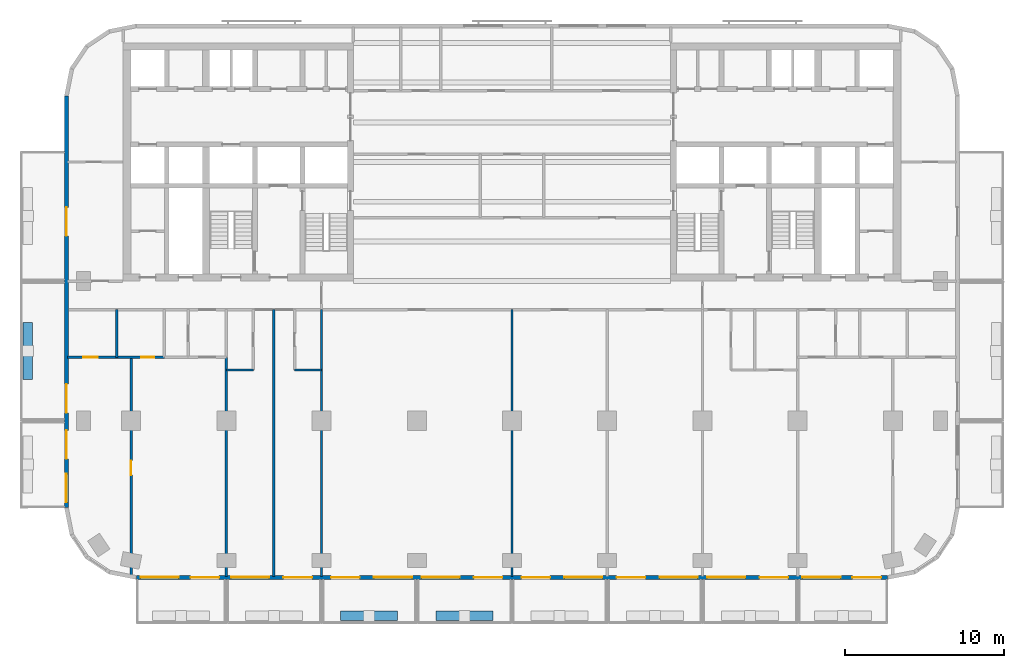
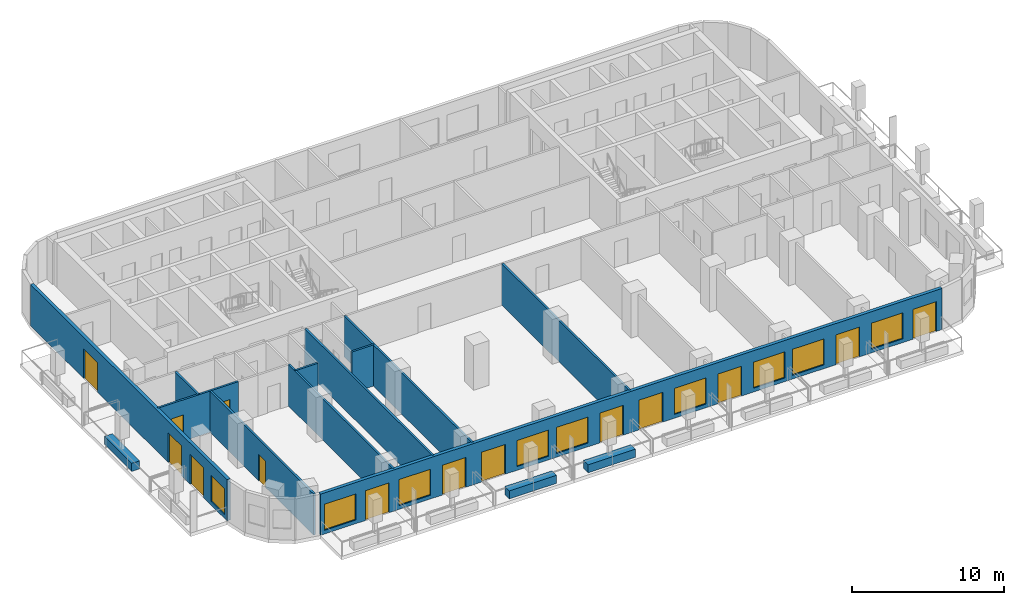
# One storey, part 2 of 11: 14 doors, 14 walls, 9 windows, 23 openings.
"""IFC4 building model written with IfcOpenShell, lengths in metres."""

from ifc_helpers import new_model, si_unit, direction, frame, frame_2d, origin, place, context, subcontext, project, spatial, rectangle, extrude, material, layer, layer_set, type_object, element, fill, save


model = new_model("IFC4")

# Units and contexts
model_context = context("Model", 3, precision=1e-05, world=origin(), true_north=direction((0.0, 1.0)))
body_context = subcontext(model_context, "Body", "Model", "MODEL_VIEW")
ifc_project = project(units=[si_unit("LENGTHUNIT", "METRE"), si_unit("AREAUNIT", "SQUARE_METRE"), si_unit("VOLUMEUNIT", "CUBIC_METRE"), si_unit("PLANEANGLEUNIT", "RADIAN"), si_unit("MASSUNIT", "GRAM", prefix="KILO")], contexts=[model_context])

# Site, building, storey
site_placement = place(None, origin())
site = spatial("IfcSite", under=ifc_project, at=site_placement, CompositionType="ELEMENT")
building_placement = place(site_placement, origin())
building = spatial("IfcBuilding", under=site, at=building_placement, Name="Torana Hotel and Residences", CompositionType="ELEMENT")
storey_placement = place(building_placement, frame((0.0, 0.0, 116.39990234375)))
storey = spatial("IfcBuildingStorey", under=building, at=storey_placement, Name="L29", CompositionType="ELEMENT", Elevation=116.39990234375)

# Wall, openings, doors, window
ifc_material_1 = material(Name="Black aluminium composite panel", Category="aluminium")
ifc_layer_1 = layer(ifc_material_1, 0.00390625, Name="Cladding", Category="cladding")
ifc_material_2 = material(Name="Ventilated air cavity")
ifc_layer_2 = layer(ifc_material_2, 0.0400390625, Name="Ventilated cavity", Category="cavity")
ifc_material_3 = material(Name="Mineral wool insulation")
ifc_layer_3 = layer(ifc_material_3, 0.090087890625, Name="Insulation", Category="insulation")
ifc_material_4 = material(Name="Steel S280GD", Category="steel")
ifc_layer_4 = layer(ifc_material_4, 0.092041015625, Name="Steel stud frame", Category="structure")
ifc_material_5 = material(Name="Fire rated plasterboard")
ifc_layer_5 = layer(ifc_material_5, 0.011962890625, Name="Inner board", Category="finish")
ifc_layer_6 = layer(ifc_material_5, 0.011962890625, Name="Second board", Category="finish")
ifc_layer_set_1 = layer_set([ifc_layer_1, ifc_layer_2, ifc_layer_3, ifc_layer_4, ifc_layer_5, ifc_layer_6], Name="EW1 EXTERNAL WALL BLACK METAL CLAD 250")
wall_type_1 = type_object("IfcWallType", Name="EW1 EXTERNAL WALL BLACK METAL CLAD 250", PredefinedType="SOLIDWALL", material=ifc_layer_set_1)
wall_1_placement = place(storey_placement, frame((-28.074951171875, -3.32470703125, 0.0), z_axis=(0.0, 0.0, 1.0), x_axis=(0.0, -1.0, 0.0)))
wall_1 = element("IfcWall", 1, at=wall_1_placement, inside=storey, type_object=wall_type_1, Name="External wall L29 e0.9", PredefinedType="SOLIDWALL", context=body_context, shape_type="SweptSolid", body=[
    extrude(rectangle(XDim=25.95068359375, YDim=0.25, at=frame_2d((12.975341796875, 0.0))), origin(), (0.0, 0.0, 1.0), 3.320068359375),
])
opening_1_placement = place(wall_1_placement, frame((7.025390625, 0.0, 0.0)))
opening_1 = element("IfcOpeningElement", 2, at=opening_1_placement, cuts=wall_1, Name="Opening L29-E12", PredefinedType="OPENING", context=body_context, shape_type="SweptSolid", body=[
    extrude(rectangle(XDim=1.800048828125, YDim=2.39990234375, at=frame_2d((0.89990234375, 1.199951171875))), frame((0.0, 0.135009765625, 0.0), z_axis=(0.0, -1.0, 0.0), x_axis=(1.0, 0.0, 0.0)), (0.0, 0.0, 1.0), 0.27001953125),
])
opening_2_placement = place(wall_1_placement, frame((18.17529296875, 0.0, 0.0)))
opening_2 = element("IfcOpeningElement", 3, at=opening_2_placement, cuts=wall_1, Name="Opening L29-E13", PredefinedType="OPENING", context=body_context, shape_type="SweptSolid", body=[
    extrude(rectangle(XDim=1.800048828125, YDim=2.39990234375, at=frame_2d((0.89990234375, 1.199951171875))), frame((0.0, 0.135009765625, 0.0), z_axis=(0.0, -1.0, 0.0), x_axis=(1.0, 0.0, 0.0)), (0.0, 0.0, 1.0), 0.27001953125),
])
opening_3_placement = place(wall_1_placement, frame((21.075439453125, 0.0, 0.0)))
opening_3 = element("IfcOpeningElement", 4, at=opening_3_placement, cuts=wall_1, Name="Opening L29-E14", PredefinedType="OPENING", context=body_context, shape_type="SweptSolid", body=[
    extrude(rectangle(XDim=1.800048828125, YDim=2.39990234375, at=frame_2d((0.89990234375, 1.199951171875))), frame((0.0, 0.135009765625, 0.0), z_axis=(0.0, -1.0, 0.0), x_axis=(1.0, 0.0, 0.0)), (0.0, 0.0, 1.0), 0.27001953125),
])
opening_4_placement = place(wall_1_placement, frame((23.825439453125, 0.0, 0.300048828125)))
opening_4 = element("IfcOpeningElement", 5, at=opening_4_placement, cuts=wall_1, Name="Opening W2", PredefinedType="OPENING", context=body_context, shape_type="SweptSolid", body=[
    extrude(rectangle(XDim=1.800048828125, YDim=2.10009765625, at=frame_2d((0.89990234375, 1.050048828125))), frame((0.0, 0.135009765625, 0.0), z_axis=(0.0, -1.0, 0.0), x_axis=(1.0, 0.0, 0.0)), (0.0, 0.0, 1.0), 0.27001953125),
])
ifc_material_6 = material(Name="Dark glass in black aluminium frame", Category="aluminium")
door_type_1 = type_object("IfcDoorType", Name="DB1 BALCONY DOOR 1800x2400", OperationType="DOUBLE_DOOR_SINGLE_SWING", PredefinedType="DOOR", material=ifc_material_6)
door_1_placement = place(opening_1_placement, origin())
door_1 = element("IfcDoor", 6, at=door_1_placement, inside=storey, type_object=door_type_1, Name="Balcony door L29", OperationType="DOUBLE_DOOR_SINGLE_SWING", OverallHeight=2.39990234375, OverallWidth=1.800048828125, PredefinedType="DOOR", context=body_context, shape_type="SweptSolid", body=[
    extrude(rectangle(XDim=1.800048828125, YDim=2.39990234375, at=frame_2d((0.89990234375, 1.199951171875))), frame((0.0, 0.02490234375, 0.0), z_axis=(0.0, -1.0, 0.0), x_axis=(1.0, 0.0, 0.0)), (0.0, 0.0, 1.0), 0.050048828125),
])
fill(opening_1, door_1)
door_2_placement = place(opening_2_placement, frame((0.89990234375, 0.0, 0.0), z_axis=(0.0, 0.0, 1.0), x_axis=(-1.0, 0.0, 0.0)))
door_2 = element("IfcDoor", 7, at=door_2_placement, inside=storey, type_object=door_type_1, Name="Balcony door L29", OperationType="DOUBLE_DOOR_SINGLE_SWING", OverallHeight=2.39990234375, OverallWidth=1.800048828125, PredefinedType="DOOR", context=body_context, shape_type="SweptSolid", body=[
    extrude(rectangle(XDim=1.800048828125, YDim=2.39990234375, at=frame_2d((0.0, 1.199951171875))), frame((0.0, -0.02490234375, 0.0), z_axis=(0.0, 1.0, 0.0), x_axis=(-1.0, 0.0, 0.0)), (0.0, 0.0, 1.0), 0.050048828125),
])
fill(opening_2, door_2)
door_3_placement = place(opening_3_placement, origin())
door_3 = element("IfcDoor", 8, at=door_3_placement, inside=storey, type_object=door_type_1, Name="Balcony door L29", OperationType="DOUBLE_DOOR_SINGLE_SWING", OverallHeight=2.39990234375, OverallWidth=1.800048828125, PredefinedType="DOOR", context=body_context, shape_type="SweptSolid", body=[
    extrude(rectangle(XDim=1.800048828125, YDim=2.39990234375, at=frame_2d((0.89990234375, 1.199951171875))), frame((0.0, 0.02490234375, 0.0), z_axis=(0.0, -1.0, 0.0), x_axis=(1.0, 0.0, 0.0)), (0.0, 0.0, 1.0), 0.050048828125),
])
fill(opening_3, door_3)
ifc_material_7 = material(Name="Dark glass in black aluminium frame", Category="aluminium")
window_type_1 = type_object("IfcWindowType", Name="W2 HOTEL ROOM WINDOW NARROW 1800x2100", PartitioningType="SINGLE_PANEL", PredefinedType="WINDOW", material=ifc_material_7)
window_1_placement = place(opening_4_placement, origin())
window_1 = element("IfcWindow", 9, at=window_1_placement, inside=storey, type_object=window_type_1, Name="Window L29", OverallHeight=2.10009765625, OverallWidth=1.800048828125, PartitioningType="SINGLE_PANEL", PredefinedType="WINDOW", context=body_context, shape_type="SweptSolid", body=[
    extrude(rectangle(XDim=1.800048828125, YDim=2.10009765625, at=frame_2d((0.89990234375, 1.050048828125))), frame((0.0, 0.030029296875, 0.0), z_axis=(0.0, -1.0, 0.0), x_axis=(1.0, 0.0, 0.0)), (0.0, 0.0, 1.0), 0.06005859375),
])
fill(opening_4, window_1)

# Wall, openings, doors, windows
wall_2_placement = place(storey_placement, frame((-23.67529296875, -33.675048828125, 0.0), z_axis=(0.0, 0.0, 1.0), x_axis=(1.0, 0.0, 0.0)))
wall_2 = element("IfcWall", 10, at=wall_2_placement, inside=storey, type_object=wall_type_1, Name="External wall L29 e0.14", PredefinedType="SOLIDWALL", context=body_context, shape_type="SweptSolid", body=[
    extrude(rectangle(XDim=47.3505859375, YDim=0.25, at=frame_2d((23.67529296875, 0.0))), origin(), (0.0, 0.0, 1.0), 3.320068359375),
])
opening_5_placement = place(wall_2_placement, frame((0.275390625, 0.0, 0.300048828125)))
opening_5 = element("IfcOpeningElement", 11, at=opening_5_placement, cuts=wall_2, Name="Opening W1", PredefinedType="OPENING", context=body_context, shape_type="SweptSolid", body=[
    extrude(rectangle(XDim=2.39990234375, YDim=2.10009765625, at=frame_2d((1.199951171875, 1.050048828125))), frame((0.0, 0.135009765625, 0.0), z_axis=(0.0, -1.0, 0.0), x_axis=(1.0, 0.0, 0.0)), (0.0, 0.0, 1.0), 0.27001953125),
])
opening_6_placement = place(wall_2_placement, frame((3.42529296875, 0.0, 0.0)))
opening_6 = element("IfcOpeningElement", 12, at=opening_6_placement, cuts=wall_2, Name="Opening L29-E01", PredefinedType="OPENING", context=body_context, shape_type="SweptSolid", body=[
    extrude(rectangle(XDim=1.800048828125, YDim=2.39990234375, at=frame_2d((0.89990234375, 1.199951171875))), frame((0.0, 0.135009765625, 0.0), z_axis=(0.0, -1.0, 0.0), x_axis=(1.0, 0.0, 0.0)), (0.0, 0.0, 1.0), 0.27001953125),
])
opening_7_placement = place(wall_2_placement, frame((5.975341796875, 0.0, 0.300048828125)))
opening_7 = element("IfcOpeningElement", 13, at=opening_7_placement, cuts=wall_2, Name="Opening W1", PredefinedType="OPENING", context=body_context, shape_type="SweptSolid", body=[
    extrude(rectangle(XDim=2.39990234375, YDim=2.10009765625, at=frame_2d((1.199951171875, 1.050048828125))), frame((0.0, 0.135009765625, 0.0), z_axis=(0.0, -1.0, 0.0), x_axis=(1.0, 0.0, 0.0)), (0.0, 0.0, 1.0), 0.27001953125),
])
opening_8_placement = place(wall_2_placement, frame((9.275390625, 0.0, 0.0)))
opening_8 = element("IfcOpeningElement", 14, at=opening_8_placement, cuts=wall_2, Name="Opening L29-E02", PredefinedType="OPENING", context=body_context, shape_type="SweptSolid", body=[
    extrude(rectangle(XDim=1.800048828125, YDim=2.39990234375, at=frame_2d((0.89990234375, 1.199951171875))), frame((0.0, 0.135009765625, 0.0), z_axis=(0.0, -1.0, 0.0), x_axis=(1.0, 0.0, 0.0)), (0.0, 0.0, 1.0), 0.27001953125),
])
opening_9_placement = place(wall_2_placement, frame((12.275390625, 0.0, 0.0)))
opening_9 = element("IfcOpeningElement", 15, at=opening_9_placement, cuts=wall_2, Name="Opening L29-E03", PredefinedType="OPENING", context=body_context, shape_type="SweptSolid", body=[
    extrude(rectangle(XDim=1.800048828125, YDim=2.39990234375, at=frame_2d((0.89990234375, 1.199951171875))), frame((0.0, 0.135009765625, 0.0), z_axis=(0.0, -1.0, 0.0), x_axis=(1.0, 0.0, 0.0)), (0.0, 0.0, 1.0), 0.27001953125),
])
opening_10_placement = place(wall_2_placement, frame((14.975341796875, 0.0, 0.300048828125)))
opening_10 = element("IfcOpeningElement", 16, at=opening_10_placement, cuts=wall_2, Name="Opening W1", PredefinedType="OPENING", context=body_context, shape_type="SweptSolid", body=[
    extrude(rectangle(XDim=2.39990234375, YDim=2.10009765625, at=frame_2d((1.199951171875, 1.050048828125))), frame((0.0, 0.135009765625, 0.0), z_axis=(0.0, -1.0, 0.0), x_axis=(1.0, 0.0, 0.0)), (0.0, 0.0, 1.0), 0.27001953125),
])
opening_11_placement = place(wall_2_placement, frame((17.975341796875, 0.0, 0.300048828125)))
opening_11 = element("IfcOpeningElement", 17, at=opening_11_placement, cuts=wall_2, Name="Opening W1", PredefinedType="OPENING", context=body_context, shape_type="SweptSolid", body=[
    extrude(rectangle(XDim=2.39990234375, YDim=2.10009765625, at=frame_2d((1.199951171875, 1.050048828125))), frame((0.0, 0.135009765625, 0.0), z_axis=(0.0, -1.0, 0.0), x_axis=(1.0, 0.0, 0.0)), (0.0, 0.0, 1.0), 0.27001953125),
])
opening_12_placement = place(wall_2_placement, frame((21.275390625, 0.0, 0.0)))
opening_12 = element("IfcOpeningElement", 18, at=opening_12_placement, cuts=wall_2, Name="Opening L29-E04", PredefinedType="OPENING", context=body_context, shape_type="SweptSolid", body=[
    extrude(rectangle(XDim=1.800048828125, YDim=2.39990234375, at=frame_2d((0.89990234375, 1.199951171875))), frame((0.0, 0.135009765625, 0.0), z_axis=(0.0, -1.0, 0.0), x_axis=(1.0, 0.0, 0.0)), (0.0, 0.0, 1.0), 0.27001953125),
])
opening_13_placement = place(wall_2_placement, frame((24.275390625, 0.0, 0.0)))
opening_13 = element("IfcOpeningElement", 19, at=opening_13_placement, cuts=wall_2, Name="Opening L29-E05", PredefinedType="OPENING", context=body_context, shape_type="SweptSolid", body=[
    extrude(rectangle(XDim=1.800048828125, YDim=2.39990234375, at=frame_2d((0.89990234375, 1.199951171875))), frame((0.0, 0.135009765625, 0.0), z_axis=(0.0, -1.0, 0.0), x_axis=(1.0, 0.0, 0.0)), (0.0, 0.0, 1.0), 0.27001953125),
])
opening_14_placement = place(wall_2_placement, frame((26.975341796875, 0.0, 0.300048828125)))
opening_14 = element("IfcOpeningElement", 20, at=opening_14_placement, cuts=wall_2, Name="Opening W1", PredefinedType="OPENING", context=body_context, shape_type="SweptSolid", body=[
    extrude(rectangle(XDim=2.39990234375, YDim=2.10009765625, at=frame_2d((1.199951171875, 1.050048828125))), frame((0.0, 0.135009765625, 0.0), z_axis=(0.0, -1.0, 0.0), x_axis=(1.0, 0.0, 0.0)), (0.0, 0.0, 1.0), 0.27001953125),
])
opening_15_placement = place(wall_2_placement, frame((30.275390625, 0.0, 0.0)))
opening_15 = element("IfcOpeningElement", 21, at=opening_15_placement, cuts=wall_2, Name="Opening L29-E06", PredefinedType="OPENING", context=body_context, shape_type="SweptSolid", body=[
    extrude(rectangle(XDim=1.800048828125, YDim=2.39990234375, at=frame_2d((0.89990234375, 1.199951171875))), frame((0.0, 0.135009765625, 0.0), z_axis=(0.0, -1.0, 0.0), x_axis=(1.0, 0.0, 0.0)), (0.0, 0.0, 1.0), 0.27001953125),
])
opening_16_placement = place(wall_2_placement, frame((32.975341796875, 0.0, 0.300048828125)))
opening_16 = element("IfcOpeningElement", 22, at=opening_16_placement, cuts=wall_2, Name="Opening W1", PredefinedType="OPENING", context=body_context, shape_type="SweptSolid", body=[
    extrude(rectangle(XDim=2.39990234375, YDim=2.10009765625, at=frame_2d((1.199951171875, 1.050048828125))), frame((0.0, 0.135009765625, 0.0), z_axis=(0.0, -1.0, 0.0), x_axis=(1.0, 0.0, 0.0)), (0.0, 0.0, 1.0), 0.27001953125),
])
opening_17_placement = place(wall_2_placement, frame((35.975341796875, 0.0, 0.300048828125)))
opening_17 = element("IfcOpeningElement", 23, at=opening_17_placement, cuts=wall_2, Name="Opening W1", PredefinedType="OPENING", context=body_context, shape_type="SweptSolid", body=[
    extrude(rectangle(XDim=2.39990234375, YDim=2.10009765625, at=frame_2d((1.199951171875, 1.050048828125))), frame((0.0, 0.135009765625, 0.0), z_axis=(0.0, -1.0, 0.0), x_axis=(1.0, 0.0, 0.0)), (0.0, 0.0, 1.0), 0.27001953125),
])
opening_18_placement = place(wall_2_placement, frame((39.275390625, 0.0, 0.0)))
opening_18 = element("IfcOpeningElement", 24, at=opening_18_placement, cuts=wall_2, Name="Opening L29-E07", PredefinedType="OPENING", context=body_context, shape_type="SweptSolid", body=[
    extrude(rectangle(XDim=1.800048828125, YDim=2.39990234375, at=frame_2d((0.89990234375, 1.199951171875))), frame((0.0, 0.135009765625, 0.0), z_axis=(0.0, -1.0, 0.0), x_axis=(1.0, 0.0, 0.0)), (0.0, 0.0, 1.0), 0.27001953125),
])
opening_19_placement = place(wall_2_placement, frame((41.975341796875, 0.0, 0.300048828125)))
opening_19 = element("IfcOpeningElement", 25, at=opening_19_placement, cuts=wall_2, Name="Opening W1", PredefinedType="OPENING", context=body_context, shape_type="SweptSolid", body=[
    extrude(rectangle(XDim=2.39990234375, YDim=2.10009765625, at=frame_2d((1.199951171875, 1.050048828125))), frame((0.0, 0.135009765625, 0.0), z_axis=(0.0, -1.0, 0.0), x_axis=(1.0, 0.0, 0.0)), (0.0, 0.0, 1.0), 0.27001953125),
])
opening_20_placement = place(wall_2_placement, frame((45.12548828125, 0.0, 0.0)))
opening_20 = element("IfcOpeningElement", 26, at=opening_20_placement, cuts=wall_2, Name="Opening L29-E08", PredefinedType="OPENING", context=body_context, shape_type="SweptSolid", body=[
    extrude(rectangle(XDim=1.800048828125, YDim=2.39990234375, at=frame_2d((0.89990234375, 1.199951171875))), frame((0.0, 0.135009765625, 0.0), z_axis=(0.0, -1.0, 0.0), x_axis=(1.0, 0.0, 0.0)), (0.0, 0.0, 1.0), 0.27001953125),
])
door_4_placement = place(opening_6_placement, frame((0.89990234375, 0.0, 0.0), z_axis=(0.0, 0.0, 1.0), x_axis=(-1.0, 0.0, 0.0)))
door_4 = element("IfcDoor", 27, at=door_4_placement, inside=storey, type_object=door_type_1, Name="Balcony door L29", OperationType="DOUBLE_DOOR_SINGLE_SWING", OverallHeight=2.39990234375, OverallWidth=1.800048828125, PredefinedType="DOOR", context=body_context, shape_type="SweptSolid", body=[
    extrude(rectangle(XDim=1.800048828125, YDim=2.39990234375, at=frame_2d((0.0, 1.199951171875))), frame((0.0, -0.02490234375, 0.0), z_axis=(0.0, 1.0, 0.0), x_axis=(-1.0, 0.0, 0.0)), (0.0, 0.0, 1.0), 0.050048828125),
])
fill(opening_6, door_4)
door_5_placement = place(opening_8_placement, origin())
door_5 = element("IfcDoor", 28, at=door_5_placement, inside=storey, type_object=door_type_1, Name="Balcony door L29", OperationType="DOUBLE_DOOR_SINGLE_SWING", OverallHeight=2.39990234375, OverallWidth=1.800048828125, PredefinedType="DOOR", context=body_context, shape_type="SweptSolid", body=[
    extrude(rectangle(XDim=1.800048828125, YDim=2.39990234375, at=frame_2d((0.89990234375, 1.199951171875))), frame((0.0, 0.02490234375, 0.0), z_axis=(0.0, -1.0, 0.0), x_axis=(1.0, 0.0, 0.0)), (0.0, 0.0, 1.0), 0.050048828125),
])
fill(opening_8, door_5)
door_6_placement = place(opening_9_placement, origin())
door_6 = element("IfcDoor", 29, at=door_6_placement, inside=storey, type_object=door_type_1, Name="Balcony door L29", OperationType="DOUBLE_DOOR_SINGLE_SWING", OverallHeight=2.39990234375, OverallWidth=1.800048828125, PredefinedType="DOOR", context=body_context, shape_type="SweptSolid", body=[
    extrude(rectangle(XDim=1.800048828125, YDim=2.39990234375, at=frame_2d((0.89990234375, 1.199951171875))), frame((0.0, 0.02490234375, 0.0), z_axis=(0.0, -1.0, 0.0), x_axis=(1.0, 0.0, 0.0)), (0.0, 0.0, 1.0), 0.050048828125),
])
fill(opening_9, door_6)
door_7_placement = place(opening_12_placement, origin())
door_7 = element("IfcDoor", 30, at=door_7_placement, inside=storey, type_object=door_type_1, Name="Balcony door L29", OperationType="DOUBLE_DOOR_SINGLE_SWING", OverallHeight=2.39990234375, OverallWidth=1.800048828125, PredefinedType="DOOR", context=body_context, shape_type="SweptSolid", body=[
    extrude(rectangle(XDim=1.800048828125, YDim=2.39990234375, at=frame_2d((0.89990234375, 1.199951171875))), frame((0.0, 0.02490234375, 0.0), z_axis=(0.0, -1.0, 0.0), x_axis=(1.0, 0.0, 0.0)), (0.0, 0.0, 1.0), 0.050048828125),
])
fill(opening_12, door_7)
door_8_placement = place(opening_13_placement, origin())
door_8 = element("IfcDoor", 31, at=door_8_placement, inside=storey, type_object=door_type_1, Name="Balcony door L29", OperationType="DOUBLE_DOOR_SINGLE_SWING", OverallHeight=2.39990234375, OverallWidth=1.800048828125, PredefinedType="DOOR", context=body_context, shape_type="SweptSolid", body=[
    extrude(rectangle(XDim=1.800048828125, YDim=2.39990234375, at=frame_2d((0.89990234375, 1.199951171875))), frame((0.0, 0.02490234375, 0.0), z_axis=(0.0, -1.0, 0.0), x_axis=(1.0, 0.0, 0.0)), (0.0, 0.0, 1.0), 0.050048828125),
])
fill(opening_13, door_8)
door_9_placement = place(opening_15_placement, origin())
door_9 = element("IfcDoor", 32, at=door_9_placement, inside=storey, type_object=door_type_1, Name="Balcony door L29", OperationType="DOUBLE_DOOR_SINGLE_SWING", OverallHeight=2.39990234375, OverallWidth=1.800048828125, PredefinedType="DOOR", context=body_context, shape_type="SweptSolid", body=[
    extrude(rectangle(XDim=1.800048828125, YDim=2.39990234375, at=frame_2d((0.89990234375, 1.199951171875))), frame((0.0, 0.02490234375, 0.0), z_axis=(0.0, -1.0, 0.0), x_axis=(1.0, 0.0, 0.0)), (0.0, 0.0, 1.0), 0.050048828125),
])
fill(opening_15, door_9)
door_10_placement = place(opening_18_placement, origin())
door_10 = element("IfcDoor", 33, at=door_10_placement, inside=storey, type_object=door_type_1, Name="Balcony door L29", OperationType="DOUBLE_DOOR_SINGLE_SWING", OverallHeight=2.39990234375, OverallWidth=1.800048828125, PredefinedType="DOOR", context=body_context, shape_type="SweptSolid", body=[
    extrude(rectangle(XDim=1.800048828125, YDim=2.39990234375, at=frame_2d((0.89990234375, 1.199951171875))), frame((0.0, 0.02490234375, 0.0), z_axis=(0.0, -1.0, 0.0), x_axis=(1.0, 0.0, 0.0)), (0.0, 0.0, 1.0), 0.050048828125),
])
fill(opening_18, door_10)
door_11_placement = place(opening_20_placement, origin())
door_11 = element("IfcDoor", 34, at=door_11_placement, inside=storey, type_object=door_type_1, Name="Balcony door L29", OperationType="DOUBLE_DOOR_SINGLE_SWING", OverallHeight=2.39990234375, OverallWidth=1.800048828125, PredefinedType="DOOR", context=body_context, shape_type="SweptSolid", body=[
    extrude(rectangle(XDim=1.800048828125, YDim=2.39990234375, at=frame_2d((0.89990234375, 1.199951171875))), frame((0.0, 0.02490234375, 0.0), z_axis=(0.0, -1.0, 0.0), x_axis=(1.0, 0.0, 0.0)), (0.0, 0.0, 1.0), 0.050048828125),
])
fill(opening_20, door_11)
ifc_material_8 = material(Name="Dark glass in black aluminium frame", Category="aluminium")
window_type_2 = type_object("IfcWindowType", Name="W1 HOTEL ROOM WINDOW 2400x2100", PartitioningType="SINGLE_PANEL", PredefinedType="WINDOW", material=ifc_material_8)
window_2_placement = place(opening_5_placement, origin())
window_2 = element("IfcWindow", 35, at=window_2_placement, inside=storey, type_object=window_type_2, Name="Window L29", OverallHeight=2.10009765625, OverallWidth=2.39990234375, PartitioningType="SINGLE_PANEL", PredefinedType="WINDOW", context=body_context, shape_type="SweptSolid", body=[
    extrude(rectangle(XDim=2.39990234375, YDim=2.10009765625, at=frame_2d((1.199951171875, 1.050048828125))), frame((0.0, 0.030029296875, 0.0), z_axis=(0.0, -1.0, 0.0), x_axis=(1.0, 0.0, 0.0)), (0.0, 0.0, 1.0), 0.06005859375),
])
fill(opening_5, window_2)
window_3_placement = place(opening_7_placement, origin())
window_3 = element("IfcWindow", 36, at=window_3_placement, inside=storey, type_object=window_type_2, Name="Window L29", OverallHeight=2.10009765625, OverallWidth=2.39990234375, PartitioningType="SINGLE_PANEL", PredefinedType="WINDOW", context=body_context, shape_type="SweptSolid", body=[
    extrude(rectangle(XDim=2.39990234375, YDim=2.10009765625, at=frame_2d((1.199951171875, 1.050048828125))), frame((0.0, 0.030029296875, 0.0), z_axis=(0.0, -1.0, 0.0), x_axis=(1.0, 0.0, 0.0)), (0.0, 0.0, 1.0), 0.06005859375),
])
fill(opening_7, window_3)
window_4_placement = place(opening_10_placement, origin())
window_4 = element("IfcWindow", 37, at=window_4_placement, inside=storey, type_object=window_type_2, Name="Window L29", OverallHeight=2.10009765625, OverallWidth=2.39990234375, PartitioningType="SINGLE_PANEL", PredefinedType="WINDOW", context=body_context, shape_type="SweptSolid", body=[
    extrude(rectangle(XDim=2.39990234375, YDim=2.10009765625, at=frame_2d((1.199951171875, 1.050048828125))), frame((0.0, 0.030029296875, 0.0), z_axis=(0.0, -1.0, 0.0), x_axis=(1.0, 0.0, 0.0)), (0.0, 0.0, 1.0), 0.06005859375),
])
fill(opening_10, window_4)
window_5_placement = place(opening_11_placement, origin())
window_5 = element("IfcWindow", 38, at=window_5_placement, inside=storey, type_object=window_type_2, Name="Window L29", OverallHeight=2.10009765625, OverallWidth=2.39990234375, PartitioningType="SINGLE_PANEL", PredefinedType="WINDOW", context=body_context, shape_type="SweptSolid", body=[
    extrude(rectangle(XDim=2.39990234375, YDim=2.10009765625, at=frame_2d((1.199951171875, 1.050048828125))), frame((0.0, 0.030029296875, 0.0), z_axis=(0.0, -1.0, 0.0), x_axis=(1.0, 0.0, 0.0)), (0.0, 0.0, 1.0), 0.06005859375),
])
fill(opening_11, window_5)
window_6_placement = place(opening_14_placement, origin())
window_6 = element("IfcWindow", 39, at=window_6_placement, inside=storey, type_object=window_type_2, Name="Window L29", OverallHeight=2.10009765625, OverallWidth=2.39990234375, PartitioningType="SINGLE_PANEL", PredefinedType="WINDOW", context=body_context, shape_type="SweptSolid", body=[
    extrude(rectangle(XDim=2.39990234375, YDim=2.10009765625, at=frame_2d((1.199951171875, 1.050048828125))), frame((0.0, 0.030029296875, 0.0), z_axis=(0.0, -1.0, 0.0), x_axis=(1.0, 0.0, 0.0)), (0.0, 0.0, 1.0), 0.06005859375),
])
fill(opening_14, window_6)
window_7_placement = place(opening_16_placement, origin())
window_7 = element("IfcWindow", 40, at=window_7_placement, inside=storey, type_object=window_type_2, Name="Window L29", OverallHeight=2.10009765625, OverallWidth=2.39990234375, PartitioningType="SINGLE_PANEL", PredefinedType="WINDOW", context=body_context, shape_type="SweptSolid", body=[
    extrude(rectangle(XDim=2.39990234375, YDim=2.10009765625, at=frame_2d((1.199951171875, 1.050048828125))), frame((0.0, 0.030029296875, 0.0), z_axis=(0.0, -1.0, 0.0), x_axis=(1.0, 0.0, 0.0)), (0.0, 0.0, 1.0), 0.06005859375),
])
fill(opening_16, window_7)
window_8_placement = place(opening_17_placement, origin())
window_8 = element("IfcWindow", 41, at=window_8_placement, inside=storey, type_object=window_type_2, Name="Window L29", OverallHeight=2.10009765625, OverallWidth=2.39990234375, PartitioningType="SINGLE_PANEL", PredefinedType="WINDOW", context=body_context, shape_type="SweptSolid", body=[
    extrude(rectangle(XDim=2.39990234375, YDim=2.10009765625, at=frame_2d((1.199951171875, 1.050048828125))), frame((0.0, 0.030029296875, 0.0), z_axis=(0.0, -1.0, 0.0), x_axis=(1.0, 0.0, 0.0)), (0.0, 0.0, 1.0), 0.06005859375),
])
fill(opening_17, window_8)
window_9_placement = place(opening_19_placement, origin())
window_9 = element("IfcWindow", 42, at=window_9_placement, inside=storey, type_object=window_type_2, Name="Window L29", OverallHeight=2.10009765625, OverallWidth=2.39990234375, PartitioningType="SINGLE_PANEL", PredefinedType="WINDOW", context=body_context, shape_type="SweptSolid", body=[
    extrude(rectangle(XDim=2.39990234375, YDim=2.10009765625, at=frame_2d((1.199951171875, 1.050048828125))), frame((0.0, 0.030029296875, 0.0), z_axis=(0.0, -1.0, 0.0), x_axis=(1.0, 0.0, 0.0)), (0.0, 0.0, 1.0), 0.06005859375),
])
fill(opening_19, window_9)

# Walls
ifc_material_9 = material(Name="Gypsum plasterboard")
ifc_layer_7 = layer(ifc_material_9, 0.012451171875, Name="Plasterboard", Category="finish")
ifc_layer_8 = layer(ifc_material_9, 0.012451171875, Name="Plasterboard", Category="finish")
ifc_layer_9 = layer(ifc_material_4, 0.10009765625, Name="Steel studs with mineral wool", Category="insulation")
ifc_layer_10 = layer(ifc_material_9, 0.012451171875, Name="Plasterboard", Category="finish")
ifc_layer_11 = layer(ifc_material_9, 0.012451171875, Name="Plasterboard", Category="finish")
ifc_layer_set_2 = layer_set([ifc_layer_7, ifc_layer_8, ifc_layer_9, ifc_layer_10, ifc_layer_11], Name="PARTITION 150 PLASTERBOARD")
wall_type_2 = type_object("IfcWallType", Name="PARTITION 150 PLASTERBOARD", PredefinedType="PARTITIONING", material=ifc_layer_set_2)
for number, where, z_axis, x_axis, name in (
    (43, (0.0, -33.6201171875, 0.0), (0.0, 0.0, 1.0), (0.0, 1.0, 0.0), "Partition L29"),
    (44, (-12.0, -33.6201171875, 0.0), (0.0, 0.0, 1.0), (0.0, 1.0, 0.0), "Partition L29"),
    (45, (-15.0, -33.6201171875, 0.0), (0.0, 0.0, 1.0), (0.0, 1.0, 0.0), "Partition L29"),
):
    element("IfcWall", number, at=place(storey_placement, frame(where, z_axis=z_axis, x_axis=x_axis)), inside=storey, type_object=wall_type_2, Name=name, PredefinedType="PARTITIONING", context=body_context, shape_type="SweptSolid", body=[
        extrude(rectangle(XDim=16.820068359375, YDim=0.14990234375, at=frame_2d((8.41015625, 0.0))), origin(), (0.0, 0.0, 1.0), 3.320068359375),
    ])
wall_3_placement = place(storey_placement, frame((-18.0, -33.6201171875, 0.0), z_axis=(0.0, 0.0, 1.0), x_axis=(0.0, 1.0, 0.0)))
element("IfcWall", 46, at=wall_3_placement, inside=storey, type_object=wall_type_2, Name="Partition L29", PredefinedType="PARTITIONING", context=body_context, shape_type="SweptSolid", body=[
    extrude(rectangle(XDim=13.820068359375, YDim=0.14990234375, at=frame_2d((6.91015625, 0.0))), origin(), (0.0, 0.0, 1.0), 3.320068359375),
])

# Wall, opening, door
wall_4_placement = place(storey_placement, frame((-24.0, -33.556884765625, 0.0), z_axis=(0.0, 0.0, 1.0), x_axis=(0.0, 1.0, 0.0)))
wall_4 = element("IfcWall", 47, at=wall_4_placement, inside=storey, type_object=wall_type_2, Name="Partition L29", PredefinedType="PARTITIONING", context=body_context, shape_type="SweptSolid", body=[
    extrude(rectangle(XDim=13.7568359375, YDim=0.14990234375, at=frame_2d((6.87841796875, 0.0))), origin(), (0.0, 0.0, 1.0), 3.320068359375),
])
opening_21_placement = place(wall_4_placement, frame((6.3369140625, 0.0, 0.0)))
opening_21 = element("IfcOpeningElement", 48, at=opening_21_placement, cuts=wall_4, Name="Opening L29-61", PredefinedType="OPENING", context=body_context, shape_type="SweptSolid", body=[
    extrude(rectangle(XDim=0.89990234375, YDim=2.10009765625, at=frame_2d((0.449951171875, 1.050048828125))), frame((0.0, 0.0849609375, 0.0), z_axis=(0.0, -1.0, 0.0), x_axis=(1.0, 0.0, 0.0)), (0.0, 0.0, 1.0), 0.169921875),
])
ifc_material_10 = material(Name="Timber door, oiled ash", Category="wood")
door_type_2 = type_object("IfcDoorType", Name="ROOM DOOR D7 900x2100", OperationType="SINGLE_SWING_LEFT", PredefinedType="DOOR", material=ifc_material_10)
door_12_placement = place(opening_21_placement, origin())
door_12 = element("IfcDoor", 49, at=door_12_placement, inside=storey, type_object=door_type_2, Name="Door L29", OperationType="SINGLE_SWING_RIGHT", OverallHeight=2.10009765625, OverallWidth=0.89990234375, PredefinedType="DOOR", context=body_context, shape_type="SweptSolid", body=[
    extrude(rectangle(XDim=0.89990234375, YDim=2.10009765625, at=frame_2d((0.449951171875, 1.050048828125))), frame((0.0, 0.02490234375, 0.0), z_axis=(0.0, -1.0, 0.0), x_axis=(1.0, 0.0, 0.0)), (0.0, 0.0, 1.0), 0.050048828125),
])
fill(opening_21, door_12)

# Walls
wall_5_placement = place(storey_placement, frame((-24.89990234375, -19.800048828125, 0.0), z_axis=(0.0, 0.0, 1.0), x_axis=(0.0, 1.0, 0.0)))
element("IfcWall", 50, at=wall_5_placement, inside=storey, type_object=wall_type_2, Name="Partition L29", PredefinedType="PARTITIONING", context=body_context, shape_type="SweptSolid", body=[
    extrude(rectangle(XDim=3.0, YDim=0.14990234375, at=frame_2d((1.5, 0.0))), origin(), (0.0, 0.0, 1.0), 3.320068359375),
])
for number, where, z_axis, x_axis, name in (
    (51, (-18.0, -20.60009765625, 0.0), (0.0, 0.0, 1.0), (1.0, 0.0, 0.0), "Partition L29"),
    (52, (-13.699951171875, -20.60009765625, 0.0), (0.0, 0.0, 1.0), (1.0, 0.0, 0.0), "Partition L29"),
):
    element("IfcWall", number, at=place(storey_placement, frame(where, z_axis=z_axis, x_axis=x_axis)), inside=storey, type_object=wall_type_2, Name=name, PredefinedType="PARTITIONING", context=body_context, shape_type="SweptSolid", body=[
        extrude(rectangle(XDim=1.699951171875, YDim=0.14990234375, at=frame_2d((0.85009765625, 0.0))), origin(), (0.0, 0.0, 1.0), 3.320068359375),
    ])

# Wall, openings, doors
wall_6_placement = place(storey_placement, frame((-28.02001953125, -19.800048828125, 0.0), z_axis=(0.0, 0.0, 1.0), x_axis=(1.0, 0.0, 0.0)))
wall_6 = element("IfcWall", 53, at=wall_6_placement, inside=storey, type_object=wall_type_2, Name="Partition L29", PredefinedType="PARTITIONING", context=body_context, shape_type="SweptSolid", body=[
    extrude(rectangle(XDim=6.1201171875, YDim=0.14990234375, at=frame_2d((3.06005859375, 0.0))), origin(), (0.0, 0.0, 1.0), 3.320068359375),
])
opening_22_placement = place(wall_6_placement, frame((4.669921875, 0.0, 0.0)))
opening_22 = element("IfcOpeningElement", 54, at=opening_22_placement, cuts=wall_6, Name="Opening L29-59", PredefinedType="OPENING", context=body_context, shape_type="SweptSolid", body=[
    extrude(rectangle(XDim=0.800048828125, YDim=2.10009765625, at=frame_2d((0.39990234375, 1.050048828125))), frame((0.0, 0.0849609375, 0.0), z_axis=(0.0, -1.0, 0.0), x_axis=(1.0, 0.0, 0.0)), (0.0, 0.0, 1.0), 0.169921875),
])
opening_23_placement = place(wall_6_placement, frame((1.02001953125, 0.0, 0.0)))
opening_23 = element("IfcOpeningElement", 55, at=opening_23_placement, cuts=wall_6, Name="Opening L29-60", PredefinedType="OPENING", context=body_context, shape_type="SweptSolid", body=[
    extrude(rectangle(XDim=0.89990234375, YDim=2.10009765625, at=frame_2d((0.449951171875, 1.050048828125))), frame((0.0, 0.0849609375, 0.0), z_axis=(0.0, -1.0, 0.0), x_axis=(1.0, 0.0, 0.0)), (0.0, 0.0, 1.0), 0.169921875),
])
ifc_material_11 = material(Name="Timber door, painted", Category="wood")
door_type_3 = type_object("IfcDoorType", Name="BATH DOOR D13 800x2100", OperationType="SINGLE_SWING_LEFT", PredefinedType="DOOR", material=ifc_material_11)
door_13_placement = place(opening_22_placement, origin())
door_13 = element("IfcDoor", 56, at=door_13_placement, inside=storey, type_object=door_type_3, Name="Door L29", OperationType="SINGLE_SWING_LEFT", OverallHeight=2.10009765625, OverallWidth=0.800048828125, PredefinedType="DOOR", context=body_context, shape_type="SweptSolid", body=[
    extrude(rectangle(XDim=0.800048828125, YDim=2.10009765625, at=frame_2d((0.39990234375, 1.050048828125))), frame((0.0, 0.02490234375, 0.0), z_axis=(0.0, -1.0, 0.0), x_axis=(1.0, 0.0, 0.0)), (0.0, 0.0, 1.0), 0.050048828125),
])
fill(opening_22, door_13)
door_14_placement = place(opening_23_placement, origin())
door_14 = element("IfcDoor", 57, at=door_14_placement, inside=storey, type_object=door_type_2, Name="Door L29", OperationType="SINGLE_SWING_RIGHT", OverallHeight=2.10009765625, OverallWidth=0.89990234375, PredefinedType="DOOR", context=body_context, shape_type="SweptSolid", body=[
    extrude(rectangle(XDim=0.89990234375, YDim=2.10009765625, at=frame_2d((0.449951171875, 1.050048828125))), frame((0.0, 0.02490234375, 0.0), z_axis=(0.0, -1.0, 0.0), x_axis=(1.0, 0.0, 0.0)), (0.0, 0.0, 1.0), 0.050048828125),
])
fill(opening_23, door_14)

# Walls
ifc_material_12 = material(Name="Concrete C40/50 precast", Category="concrete")
ifc_layer_12 = layer(ifc_material_12, 0.10009765625, Name="Planter shell", Category="structure")
ifc_material_13 = material(Name="Root resistant membrane")
ifc_layer_13 = layer(ifc_material_13, 0.00390625, Name="Waterproofing membrane", Category="membrane")
ifc_material_14 = material(Name="Drainage board with filter fleece")
ifc_layer_14 = layer(ifc_material_14, 0.02001953125, Name="Drainage board", Category="drainage")
ifc_material_15 = material(Name="Growing medium")
ifc_layer_15 = layer(ifc_material_15, 0.47607421875, Name="Planting substrate", Category="soil")
ifc_layer_set_3 = layer_set([ifc_layer_12, ifc_layer_13, ifc_layer_14, ifc_layer_15], Name="PL1 BALCONY PLANTER 600")
wall_type_3 = type_object("IfcWallType", Name="PL1 BALCONY PLANTER 600", PredefinedType="USERDEFINED", material=ifc_layer_set_3)
for number, where, z_axis, x_axis, name in (
    (58, (-7.199951171875, -36.10009765625, 0.0), (0.0, 0.0, 1.0), (-1.0, 0.0, 0.0), "Planter 03"),
    (59, (-1.199951171875, -36.10009765625, 0.0), (0.0, 0.0, 1.0), (-1.0, 0.0, 0.0), "Planter 04"),
):
    element("IfcWall", number, at=place(storey_placement, frame(where, z_axis=z_axis, x_axis=x_axis)), inside=storey, type_object=wall_type_3, Name=name, ObjectType="PLANTER", PredefinedType="USERDEFINED", context=body_context, shape_type="SweptSolid", body=[
        extrude(rectangle(XDim=3.60009765625, YDim=0.60009765625, at=frame_2d((1.800048828125, 0.0))), origin(), (0.0, 0.0, 1.0), 0.650146484375),
    ])
wall_7_placement = place(storey_placement, frame((-30.5, -21.199951171875, 0.0), z_axis=(0.0, 0.0, 1.0), x_axis=(0.0, 1.0, 0.0)))
element("IfcWall", 60, at=wall_7_placement, inside=storey, type_object=wall_type_3, Name="Planter 10", ObjectType="PLANTER", PredefinedType="USERDEFINED", context=body_context, shape_type="SweptSolid", body=[
    extrude(rectangle(XDim=3.599853515625, YDim=0.60009765625, at=frame_2d((1.7998046875, 0.0))), origin(), (0.0, 0.0, 1.0), 0.650146484375),
])

save(model, "model.ifc")
